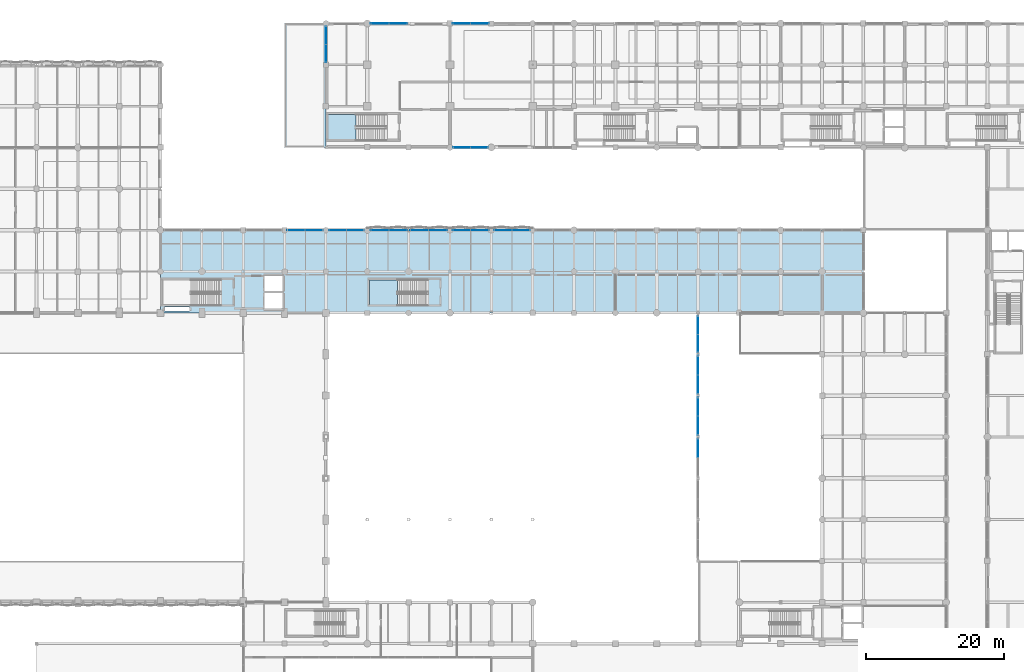
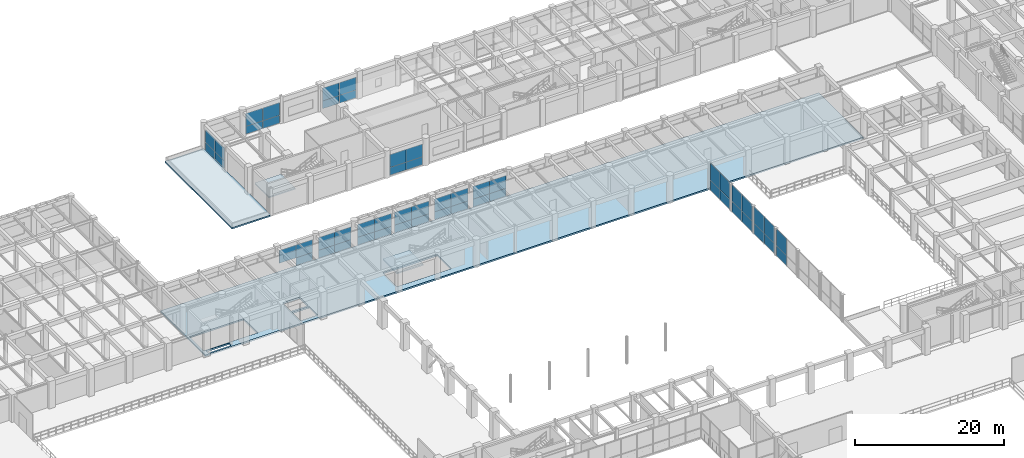
# One storey, part 90 of 133: 53 plates, 4 slabs, 16 elements without a shape of their own.
"""IFC4 building model written with IfcOpenShell, lengths in metres."""

from ifc_helpers import new_model, si_unit, direction, frame, frame_2d, origin, place, context, subcontext, project, spatial, polyline, rectangle, outline, extrude, material, layer, layer_set, type_object, element, aggregate, save


model = new_model("IFC4")

# Units and contexts
model_context = context("Model", 3, precision=1e-05, world=origin(), true_north=direction((0.0, 1.0)))
body_context = subcontext(model_context, "Body", "Model", "MODEL_VIEW")
ifc_project = project(units=[si_unit("LENGTHUNIT", "METRE"), si_unit("AREAUNIT", "SQUARE_METRE"), si_unit("VOLUMEUNIT", "CUBIC_METRE"), si_unit("PLANEANGLEUNIT", "RADIAN"), si_unit("MASSUNIT", "GRAM", prefix="KILO"), si_unit("THERMODYNAMICTEMPERATUREUNIT", "KELVIN"), si_unit("POWERUNIT", "WATT")], contexts=[model_context])

# Site, building, storey
site_placement = place(None, origin())
site = spatial("IfcSite", under=ifc_project, at=site_placement, CompositionType="ELEMENT")
building_placement = place(site_placement, origin())
building = spatial("IfcBuilding", under=site, at=building_placement, Name="Phaisarnlok Congress Hotel", CompositionType="ELEMENT")
storey_placement = place(building_placement, frame((0.0, 0.0, 6.0)))
storey = spatial("IfcBuildingStorey", under=building, at=storey_placement, Name="L01", CompositionType="ELEMENT", Elevation=6.0)

# Curtain wall, plates
ifc_material_1 = material(Name="Thermally Broken Unitised Aluminium & Low-E Glazing", Category="aluminium")
curtain_wall_type_1 = type_object("IfcCurtainWallType", Name="CW-UNIT-15", PredefinedType="NOTDEFINED", material=ifc_material_1)
curtain_wall_1_placement = place(storey_placement, origin())
curtain_wall_1 = element("IfcCurtainWall", 1, at=curtain_wall_1_placement, inside=storey, type_object=curtain_wall_type_1, Name="Unitised curtain wall CW-15 (L01)", PredefinedType="NOTDEFINED")
ifc_material_2 = material(Name="Triple Acoustic Solar-Control Glazing", Category="glass")
ifc_layer_1 = layer(ifc_material_2, 0.035888671875, Name="Triple Acoustic Solar-Control Glazing")
ifc_layer_set_1 = layer_set([ifc_layer_1], Name="Triple Acoustic Solar-Control Glazing")
plate_type = type_object("IfcPlateType", Name="CWP-GLZ-36", PredefinedType="CURTAIN_PANEL", material=ifc_layer_set_1)
plate_1_placement = place(storey_placement, frame((95.550048828125, 96.0, 0.0400390625), z_axis=(0.0, 0.0, 1.0), x_axis=(-1.0, 0.0, 0.0)))
plate_1 = element("IfcPlate", 2, at=plate_1_placement, type_object=plate_type, Name="Glazed curtain panel CWP-02", PredefinedType="CURTAIN_PANEL", context=body_context, shape_type="SweptSolid", body=[
    extrude(rectangle(XDim=2.56005859375, YDim=0.028076171875, at=frame_2d((1.280029296875, 0.0))), origin(), (0.0, 0.0, 1.0), 1.278564453125),
])
plate_2_placement = place(storey_placement, frame((95.550048828125, 96.0, 1.318603515625), z_axis=(0.0, 0.0, 1.0), x_axis=(-1.0, 0.0, 0.0)))
plate_2 = element("IfcPlate", 3, at=plate_2_placement, type_object=plate_type, Name="Glazed curtain panel CWP-02", PredefinedType="CURTAIN_PANEL", context=body_context, shape_type="SweptSolid", body=[
    extrude(rectangle(XDim=2.56005859375, YDim=0.028076171875, at=frame_2d((1.280029296875, 0.0))), origin(), (0.0, 0.0, 1.0), 2.111328125),
])
plate_3_placement = place(storey_placement, frame((92.9599609375, 96.0, 0.0400390625), z_axis=(0.0, 0.0, 1.0), x_axis=(-1.0, 0.0, 0.0)))
plate_3 = element("IfcPlate", 4, at=plate_3_placement, type_object=plate_type, Name="Glazed curtain panel CWP-02", PredefinedType="CURTAIN_PANEL", context=body_context, shape_type="SweptSolid", body=[
    extrude(rectangle(XDim=2.56005859375, YDim=0.028076171875, at=frame_2d((1.280029296875, 0.0))), origin(), (0.0, 0.0, 1.0), 1.278564453125),
])
plate_4_placement = place(storey_placement, frame((92.9599609375, 96.0, 1.318603515625), z_axis=(0.0, 0.0, 1.0), x_axis=(-1.0, 0.0, 0.0)))
plate_4 = element("IfcPlate", 5, at=plate_4_placement, type_object=plate_type, Name="Glazed curtain panel CWP-02", PredefinedType="CURTAIN_PANEL", context=body_context, shape_type="SweptSolid", body=[
    extrude(rectangle(XDim=2.56005859375, YDim=0.028076171875, at=frame_2d((1.280029296875, 0.0))), origin(), (0.0, 0.0, 1.0), 2.111328125),
])
aggregate(curtain_wall_1, [plate_1, plate_2, plate_3, plate_4])

curtain_wall_2_placement = place(storey_placement, origin())
curtain_wall_2 = element("IfcCurtainWall", 6, at=curtain_wall_2_placement, inside=storey, type_object=curtain_wall_type_1, Name="Unitised curtain wall CW-15 (L01)", PredefinedType="NOTDEFINED")
plate_5_placement = place(storey_placement, frame((89.60009765625, 96.0, 0.0400390625), z_axis=(0.0, 0.0, 1.0), x_axis=(-1.0, 0.0, 0.0)))
plate_5 = element("IfcPlate", 7, at=plate_5_placement, type_object=plate_type, Name="Glazed curtain panel CWP-02", PredefinedType="CURTAIN_PANEL", context=body_context, shape_type="SweptSolid", body=[
    extrude(rectangle(XDim=2.572509765625, YDim=0.028076171875, at=frame_2d((1.2861328125, 0.0))), origin(), (0.0, 0.0, 1.0), 1.278564453125),
])
plate_6_placement = place(storey_placement, frame((89.60009765625, 96.0, 1.318603515625), z_axis=(0.0, 0.0, 1.0), x_axis=(-1.0, 0.0, 0.0)))
plate_6 = element("IfcPlate", 8, at=plate_6_placement, type_object=plate_type, Name="Glazed curtain panel CWP-02", PredefinedType="CURTAIN_PANEL", context=body_context, shape_type="SweptSolid", body=[
    extrude(rectangle(XDim=2.572509765625, YDim=0.028076171875, at=frame_2d((1.2861328125, 0.0))), origin(), (0.0, 0.0, 1.0), 2.111328125),
])
plate_7_placement = place(storey_placement, frame((86.99755859375, 96.0, 0.0400390625), z_axis=(0.0, 0.0, 1.0), x_axis=(-1.0, 0.0, 0.0)))
plate_7 = element("IfcPlate", 9, at=plate_7_placement, type_object=plate_type, Name="Glazed curtain panel CWP-02", PredefinedType="CURTAIN_PANEL", context=body_context, shape_type="SweptSolid", body=[
    extrude(rectangle(XDim=2.572509765625, YDim=0.028076171875, at=frame_2d((1.2861328125, 0.0))), origin(), (0.0, 0.0, 1.0), 1.278564453125),
])
plate_8_placement = place(storey_placement, frame((86.99755859375, 96.0, 1.318603515625), z_axis=(0.0, 0.0, 1.0), x_axis=(-1.0, 0.0, 0.0)))
plate_8 = element("IfcPlate", 10, at=plate_8_placement, type_object=plate_type, Name="Glazed curtain panel CWP-02", PredefinedType="CURTAIN_PANEL", context=body_context, shape_type="SweptSolid", body=[
    extrude(rectangle(XDim=2.572509765625, YDim=0.028076171875, at=frame_2d((1.2861328125, 0.0))), origin(), (0.0, 0.0, 1.0), 2.111328125),
])
aggregate(curtain_wall_2, [plate_5, plate_6, plate_7, plate_8])

curtain_wall_type_2 = type_object("IfcCurtainWallType", Name="CW-UNIT-14", PredefinedType="NOTDEFINED", material=ifc_material_1)
curtain_wall_3_placement = place(storey_placement, origin())
curtain_wall_3 = element("IfcCurtainWall", 11, at=curtain_wall_3_placement, inside=storey, type_object=curtain_wall_type_2, Name="Unitised curtain wall CW-14 (L01)", PredefinedType="NOTDEFINED")
plate_9_placement = place(storey_placement, frame((83.574951171875, 96.0, 0.0400390625), z_axis=(0.0, 0.0, 1.0), x_axis=(-1.0, 0.0, 0.0)))
plate_9 = element("IfcPlate", 12, at=plate_9_placement, type_object=plate_type, Name="Glazed curtain panel CWP-02", PredefinedType="CURTAIN_PANEL", context=body_context, shape_type="SweptSolid", body=[
    extrude(rectangle(XDim=2.65966796875, YDim=0.028076171875, at=frame_2d((1.329833984375, 0.0))), origin(), (0.0, 0.0, 1.0), 1.278564453125),
])
plate_10_placement = place(storey_placement, frame((83.574951171875, 96.0, 1.318603515625), z_axis=(0.0, 0.0, 1.0), x_axis=(-1.0, 0.0, 0.0)))
plate_10 = element("IfcPlate", 13, at=plate_10_placement, type_object=plate_type, Name="Glazed curtain panel CWP-02", PredefinedType="CURTAIN_PANEL", context=body_context, shape_type="SweptSolid", body=[
    extrude(rectangle(XDim=2.65966796875, YDim=0.028076171875, at=frame_2d((1.329833984375, 0.0))), origin(), (0.0, 0.0, 1.0), 2.111328125),
])
plate_11_placement = place(storey_placement, frame((80.88525390625, 96.0, 0.0400390625), z_axis=(0.0, 0.0, 1.0), x_axis=(-1.0, 0.0, 0.0)))
plate_11 = element("IfcPlate", 14, at=plate_11_placement, type_object=plate_type, Name="Glazed curtain panel CWP-02", PredefinedType="CURTAIN_PANEL", context=body_context, shape_type="SweptSolid", body=[
    extrude(rectangle(XDim=2.65966796875, YDim=0.028076171875, at=frame_2d((1.329833984375, 0.0))), origin(), (0.0, 0.0, 1.0), 1.278564453125),
])
plate_12_placement = place(storey_placement, frame((80.88525390625, 96.0, 1.318603515625), z_axis=(0.0, 0.0, 1.0), x_axis=(-1.0, 0.0, 0.0)))
plate_12 = element("IfcPlate", 15, at=plate_12_placement, type_object=plate_type, Name="Glazed curtain panel CWP-02", PredefinedType="CURTAIN_PANEL", context=body_context, shape_type="SweptSolid", body=[
    extrude(rectangle(XDim=2.65966796875, YDim=0.028076171875, at=frame_2d((1.329833984375, 0.0))), origin(), (0.0, 0.0, 1.0), 2.111328125),
])
aggregate(curtain_wall_3, [plate_9, plate_10, plate_11, plate_12])

curtain_wall_type_3 = type_object("IfcCurtainWallType", Name="CW-UNIT-13", PredefinedType="NOTDEFINED", material=ifc_material_1)
curtain_wall_4_placement = place(storey_placement, origin())
curtain_wall_4 = element("IfcCurtainWall", 16, at=curtain_wall_4_placement, inside=storey, type_object=curtain_wall_type_3, Name="Unitised curtain wall CW-13 (L01)", PredefinedType="NOTDEFINED")
plate_13_placement = place(storey_placement, frame((77.7744140625, 96.0, 0.0400390625), z_axis=(0.0, 0.0, 1.0), x_axis=(-1.0, 0.0, 0.0)))
plate_13 = element("IfcPlate", 17, at=plate_13_placement, type_object=plate_type, Name="Glazed curtain panel CWP-02", PredefinedType="CURTAIN_PANEL", context=body_context, shape_type="SweptSolid", body=[
    extrude(rectangle(XDim=2.609619140625, YDim=0.028076171875, at=frame_2d((1.3046875, 0.0))), origin(), (0.0, 0.0, 1.0), 1.278564453125),
])
plate_14_placement = place(storey_placement, frame((77.7744140625, 96.0, 1.318603515625), z_axis=(0.0, 0.0, 1.0), x_axis=(-1.0, 0.0, 0.0)))
plate_14 = element("IfcPlate", 18, at=plate_14_placement, type_object=plate_type, Name="Glazed curtain panel CWP-02", PredefinedType="CURTAIN_PANEL", context=body_context, shape_type="SweptSolid", body=[
    extrude(rectangle(XDim=2.609619140625, YDim=0.028076171875, at=frame_2d((1.3046875, 0.0))), origin(), (0.0, 0.0, 1.0), 2.111328125),
])
plate_15_placement = place(storey_placement, frame((75.134765625, 96.0, 0.0400390625), z_axis=(0.0, 0.0, 1.0), x_axis=(-1.0, 0.0, 0.0)))
plate_15 = element("IfcPlate", 19, at=plate_15_placement, type_object=plate_type, Name="Glazed curtain panel CWP-02", PredefinedType="CURTAIN_PANEL", context=body_context, shape_type="SweptSolid", body=[
    extrude(rectangle(XDim=2.60986328125, YDim=0.028076171875, at=frame_2d((1.304931640625, 0.0))), origin(), (0.0, 0.0, 1.0), 1.278564453125),
])
plate_16_placement = place(storey_placement, frame((75.134765625, 96.0, 1.318603515625), z_axis=(0.0, 0.0, 1.0), x_axis=(-1.0, 0.0, 0.0)))
plate_16 = element("IfcPlate", 20, at=plate_16_placement, type_object=plate_type, Name="Glazed curtain panel CWP-02", PredefinedType="CURTAIN_PANEL", context=body_context, shape_type="SweptSolid", body=[
    extrude(rectangle(XDim=2.60986328125, YDim=0.028076171875, at=frame_2d((1.304931640625, 0.0))), origin(), (0.0, 0.0, 1.0), 2.111328125),
])
aggregate(curtain_wall_4, [plate_13, plate_14, plate_15, plate_16])

curtain_wall_type_4 = type_object("IfcCurtainWallType", Name="CW-UNIT-12", PredefinedType="NOTDEFINED", material=ifc_material_1)
curtain_wall_5_placement = place(storey_placement, origin())
curtain_wall_5 = element("IfcCurtainWall", 21, at=curtain_wall_5_placement, inside=storey, type_object=curtain_wall_type_4, Name="Unitised curtain wall CW-12 (L01)", PredefinedType="NOTDEFINED")
plate_17_placement = place(storey_placement, frame((71.47509765625, 96.0, 0.0400390625), z_axis=(0.0, 0.0, 1.0), x_axis=(-1.0, 0.0, 0.0)))
plate_17 = element("IfcPlate", 22, at=plate_17_placement, type_object=plate_type, Name="Glazed curtain panel CWP-02", PredefinedType="CURTAIN_PANEL", context=body_context, shape_type="SweptSolid", body=[
    extrude(rectangle(XDim=2.49755859375, YDim=0.028076171875, at=frame_2d((1.248779296875, 0.0))), origin(), (0.0, 0.0, 1.0), 1.278564453125),
])
plate_18_placement = place(storey_placement, frame((71.47509765625, 96.0, 1.318603515625), z_axis=(0.0, 0.0, 1.0), x_axis=(-1.0, 0.0, 0.0)))
plate_18 = element("IfcPlate", 23, at=plate_18_placement, type_object=plate_type, Name="Glazed curtain panel CWP-02", PredefinedType="CURTAIN_PANEL", context=body_context, shape_type="SweptSolid", body=[
    extrude(rectangle(XDim=2.49755859375, YDim=0.028076171875, at=frame_2d((1.248779296875, 0.0))), origin(), (0.0, 0.0, 1.0), 2.111328125),
])
plate_19_placement = place(storey_placement, frame((68.947509765625, 96.0, 0.0400390625), z_axis=(0.0, 0.0, 1.0), x_axis=(-1.0, 0.0, 0.0)))
plate_19 = element("IfcPlate", 24, at=plate_19_placement, type_object=plate_type, Name="Glazed curtain panel CWP-02", PredefinedType="CURTAIN_PANEL", context=body_context, shape_type="SweptSolid", body=[
    extrude(rectangle(XDim=2.49755859375, YDim=0.028076171875, at=frame_2d((1.248779296875, 0.0))), origin(), (0.0, 0.0, 1.0), 1.278564453125),
])
plate_20_placement = place(storey_placement, frame((68.947509765625, 96.0, 1.318603515625), z_axis=(0.0, 0.0, 1.0), x_axis=(-1.0, 0.0, 0.0)))
plate_20 = element("IfcPlate", 25, at=plate_20_placement, type_object=plate_type, Name="Glazed curtain panel CWP-02", PredefinedType="CURTAIN_PANEL", context=body_context, shape_type="SweptSolid", body=[
    extrude(rectangle(XDim=2.49755859375, YDim=0.028076171875, at=frame_2d((1.248779296875, 0.0))), origin(), (0.0, 0.0, 1.0), 2.111328125),
])
aggregate(curtain_wall_5, [plate_17, plate_18, plate_19, plate_20])

curtain_wall_6_placement = place(storey_placement, origin())
curtain_wall_6 = element("IfcCurtainWall", 26, at=curtain_wall_6_placement, inside=storey, type_object=curtain_wall_type_1, Name="Unitised curtain wall CW-15 (L01)", PredefinedType="NOTDEFINED")
plate_21_placement = place(storey_placement, frame((65.550048828125, 96.0, 0.0400390625), z_axis=(0.0, 0.0, 1.0), x_axis=(-1.0, 0.0, 0.0)))
plate_21 = element("IfcPlate", 27, at=plate_21_placement, type_object=plate_type, Name="Glazed curtain panel CWP-02", PredefinedType="CURTAIN_PANEL", context=body_context, shape_type="SweptSolid", body=[
    extrude(rectangle(XDim=2.56005859375, YDim=0.028076171875, at=frame_2d((1.280029296875, 0.0))), origin(), (0.0, 0.0, 1.0), 1.278564453125),
])
plate_22_placement = place(storey_placement, frame((65.550048828125, 96.0, 1.318603515625), z_axis=(0.0, 0.0, 1.0), x_axis=(-1.0, 0.0, 0.0)))
plate_22 = element("IfcPlate", 28, at=plate_22_placement, type_object=plate_type, Name="Glazed curtain panel CWP-02", PredefinedType="CURTAIN_PANEL", context=body_context, shape_type="SweptSolid", body=[
    extrude(rectangle(XDim=2.56005859375, YDim=0.028076171875, at=frame_2d((1.280029296875, 0.0))), origin(), (0.0, 0.0, 1.0), 2.111328125),
])
plate_23_placement = place(storey_placement, frame((62.9599609375, 96.0, 1.318603515625), z_axis=(0.0, 0.0, 1.0), x_axis=(-1.0, 0.0, 0.0)))
plate_23 = element("IfcPlate", 29, at=plate_23_placement, type_object=plate_type, Name="Glazed curtain panel CWP-02", PredefinedType="CURTAIN_PANEL", context=body_context, shape_type="SweptSolid", body=[
    extrude(rectangle(XDim=2.56005859375, YDim=0.028076171875, at=frame_2d((1.280029296875, 0.0))), origin(), (0.0, 0.0, 1.0), 2.111328125),
])
aggregate(curtain_wall_6, [plate_21, plate_22, plate_23])

curtain_wall_7_placement = place(storey_placement, origin())
curtain_wall_7 = element("IfcCurtainWall", 30, at=curtain_wall_7_placement, inside=storey, type_object=curtain_wall_type_4, Name="Unitised curtain wall CW-12 (L01)", PredefinedType="NOTDEFINED")
plate_24_placement = place(storey_placement, frame((84.449951171875, 108.0, 0.0400390625), z_axis=(0.0, 0.0, 1.0), x_axis=(1.0, 0.0, 0.0)))
plate_24 = element("IfcPlate", 31, at=plate_24_placement, type_object=plate_type, Name="Glazed curtain panel CWP-02", PredefinedType="CURTAIN_PANEL", context=body_context, shape_type="SweptSolid", body=[
    extrude(rectangle(XDim=2.49755859375, YDim=0.028076171875, at=frame_2d((1.248779296875, 0.0))), origin(), (0.0, 0.0, 1.0), 1.278564453125),
])
plate_25_placement = place(storey_placement, frame((84.449951171875, 108.0, 1.318603515625), z_axis=(0.0, 0.0, 1.0), x_axis=(1.0, 0.0, 0.0)))
plate_25 = element("IfcPlate", 32, at=plate_25_placement, type_object=plate_type, Name="Glazed curtain panel CWP-02", PredefinedType="CURTAIN_PANEL", context=body_context, shape_type="SweptSolid", body=[
    extrude(rectangle(XDim=2.49755859375, YDim=0.028076171875, at=frame_2d((1.248779296875, 0.0))), origin(), (0.0, 0.0, 1.0), 2.111328125),
])
plate_26_placement = place(storey_placement, frame((86.9775390625, 108.0, 0.0400390625), z_axis=(0.0, 0.0, 1.0), x_axis=(1.0, 0.0, 0.0)))
plate_26 = element("IfcPlate", 33, at=plate_26_placement, type_object=plate_type, Name="Glazed curtain panel CWP-02", PredefinedType="CURTAIN_PANEL", context=body_context, shape_type="SweptSolid", body=[
    extrude(rectangle(XDim=2.49755859375, YDim=0.028076171875, at=frame_2d((1.248779296875, 0.0))), origin(), (0.0, 0.0, 1.0), 1.278564453125),
])
plate_27_placement = place(storey_placement, frame((86.9775390625, 108.0, 1.318603515625), z_axis=(0.0, 0.0, 1.0), x_axis=(1.0, 0.0, 0.0)))
plate_27 = element("IfcPlate", 34, at=plate_27_placement, type_object=plate_type, Name="Glazed curtain panel CWP-02", PredefinedType="CURTAIN_PANEL", context=body_context, shape_type="SweptSolid", body=[
    extrude(rectangle(XDim=2.49755859375, YDim=0.028076171875, at=frame_2d((1.248779296875, 0.0))), origin(), (0.0, 0.0, 1.0), 2.111328125),
])
aggregate(curtain_wall_7, [plate_24, plate_25, plate_26, plate_27])

curtain_wall_8_placement = place(storey_placement, origin())
curtain_wall_8 = element("IfcCurtainWall", 35, at=curtain_wall_8_placement, inside=storey, type_object=curtain_wall_type_1, Name="Unitised curtain wall CW-15 (L01)", PredefinedType="NOTDEFINED")
plate_28_placement = place(storey_placement, frame((89.60009765625, 126.0, 0.0400390625), z_axis=(0.0, 0.0, 1.0), x_axis=(-1.0, 0.0, 0.0)))
plate_28 = element("IfcPlate", 36, at=plate_28_placement, type_object=plate_type, Name="Glazed curtain panel CWP-02", PredefinedType="CURTAIN_PANEL", context=body_context, shape_type="SweptSolid", body=[
    extrude(rectangle(XDim=2.572509765625, YDim=0.028076171875, at=frame_2d((1.2861328125, 0.0))), origin(), (0.0, 0.0, 1.0), 1.278564453125),
])
plate_29_placement = place(storey_placement, frame((89.60009765625, 126.0, 1.318603515625), z_axis=(0.0, 0.0, 1.0), x_axis=(-1.0, 0.0, 0.0)))
plate_29 = element("IfcPlate", 37, at=plate_29_placement, type_object=plate_type, Name="Glazed curtain panel CWP-02", PredefinedType="CURTAIN_PANEL", context=body_context, shape_type="SweptSolid", body=[
    extrude(rectangle(XDim=2.572509765625, YDim=0.028076171875, at=frame_2d((1.2861328125, 0.0))), origin(), (0.0, 0.0, 1.0), 2.111328125),
])
plate_30_placement = place(storey_placement, frame((86.99755859375, 126.0, 0.0400390625), z_axis=(0.0, 0.0, 1.0), x_axis=(-1.0, 0.0, 0.0)))
plate_30 = element("IfcPlate", 38, at=plate_30_placement, type_object=plate_type, Name="Glazed curtain panel CWP-02", PredefinedType="CURTAIN_PANEL", context=body_context, shape_type="SweptSolid", body=[
    extrude(rectangle(XDim=2.572509765625, YDim=0.028076171875, at=frame_2d((1.2861328125, 0.0))), origin(), (0.0, 0.0, 1.0), 1.278564453125),
])
plate_31_placement = place(storey_placement, frame((86.99755859375, 126.0, 1.318603515625), z_axis=(0.0, 0.0, 1.0), x_axis=(-1.0, 0.0, 0.0)))
plate_31 = element("IfcPlate", 39, at=plate_31_placement, type_object=plate_type, Name="Glazed curtain panel CWP-02", PredefinedType="CURTAIN_PANEL", context=body_context, shape_type="SweptSolid", body=[
    extrude(rectangle(XDim=2.572509765625, YDim=0.028076171875, at=frame_2d((1.2861328125, 0.0))), origin(), (0.0, 0.0, 1.0), 2.111328125),
])
aggregate(curtain_wall_8, [plate_28, plate_29, plate_30, plate_31])

curtain_wall_9_placement = place(storey_placement, origin())
curtain_wall_9 = element("IfcCurtainWall", 40, at=curtain_wall_9_placement, inside=storey, type_object=curtain_wall_type_3, Name="Unitised curtain wall CW-13 (L01)", PredefinedType="NOTDEFINED")
plate_32_placement = place(storey_placement, frame((77.7744140625, 126.0, 0.0400390625), z_axis=(0.0, 0.0, 1.0), x_axis=(-1.0, 0.0, 0.0)))
plate_32 = element("IfcPlate", 41, at=plate_32_placement, type_object=plate_type, Name="Glazed curtain panel CWP-02", PredefinedType="CURTAIN_PANEL", context=body_context, shape_type="SweptSolid", body=[
    extrude(rectangle(XDim=2.609619140625, YDim=0.028076171875, at=frame_2d((1.3046875, 0.0))), origin(), (0.0, 0.0, 1.0), 1.278564453125),
])
plate_33_placement = place(storey_placement, frame((77.7744140625, 126.0, 1.318603515625), z_axis=(0.0, 0.0, 1.0), x_axis=(-1.0, 0.0, 0.0)))
plate_33 = element("IfcPlate", 42, at=plate_33_placement, type_object=plate_type, Name="Glazed curtain panel CWP-02", PredefinedType="CURTAIN_PANEL", context=body_context, shape_type="SweptSolid", body=[
    extrude(rectangle(XDim=2.609619140625, YDim=0.028076171875, at=frame_2d((1.3046875, 0.0))), origin(), (0.0, 0.0, 1.0), 2.111328125),
])
plate_34_placement = place(storey_placement, frame((75.134765625, 126.0, 0.0400390625), z_axis=(0.0, 0.0, 1.0), x_axis=(-1.0, 0.0, 0.0)))
plate_34 = element("IfcPlate", 43, at=plate_34_placement, type_object=plate_type, Name="Glazed curtain panel CWP-02", PredefinedType="CURTAIN_PANEL", context=body_context, shape_type="SweptSolid", body=[
    extrude(rectangle(XDim=2.60986328125, YDim=0.028076171875, at=frame_2d((1.304931640625, 0.0))), origin(), (0.0, 0.0, 1.0), 1.278564453125),
])
plate_35_placement = place(storey_placement, frame((75.134765625, 126.0, 1.318603515625), z_axis=(0.0, 0.0, 1.0), x_axis=(-1.0, 0.0, 0.0)))
plate_35 = element("IfcPlate", 44, at=plate_35_placement, type_object=plate_type, Name="Glazed curtain panel CWP-02", PredefinedType="CURTAIN_PANEL", context=body_context, shape_type="SweptSolid", body=[
    extrude(rectangle(XDim=2.60986328125, YDim=0.028076171875, at=frame_2d((1.304931640625, 0.0))), origin(), (0.0, 0.0, 1.0), 2.111328125),
])
aggregate(curtain_wall_9, [plate_32, plate_33, plate_34, plate_35])

curtain_wall_10_placement = place(storey_placement, origin())
curtain_wall_10 = element("IfcCurtainWall", 45, at=curtain_wall_10_placement, inside=storey, type_object=curtain_wall_type_1, Name="Unitised curtain wall CW-15 (L01)", PredefinedType="NOTDEFINED")
plate_36_placement = place(storey_placement, frame((66.0, 125.550048828125, 0.0400390625), z_axis=(0.0, 0.0, 1.0), x_axis=(0.0, -1.0, 0.0)))
plate_36 = element("IfcPlate", 46, at=plate_36_placement, type_object=plate_type, Name="Glazed curtain panel CWP-02", PredefinedType="CURTAIN_PANEL", context=body_context, shape_type="SweptSolid", body=[
    extrude(rectangle(XDim=2.56005859375, YDim=0.028076171875, at=frame_2d((1.280029296875, 0.0))), origin(), (0.0, 0.0, 1.0), 1.278564453125),
])
plate_37_placement = place(storey_placement, frame((66.0, 125.550048828125, 1.318603515625), z_axis=(0.0, 0.0, 1.0), x_axis=(0.0, -1.0, 0.0)))
plate_37 = element("IfcPlate", 47, at=plate_37_placement, type_object=plate_type, Name="Glazed curtain panel CWP-02", PredefinedType="CURTAIN_PANEL", context=body_context, shape_type="SweptSolid", body=[
    extrude(rectangle(XDim=2.56005859375, YDim=0.028076171875, at=frame_2d((1.280029296875, 0.0))), origin(), (0.0, 0.0, 1.0), 2.111328125),
])
plate_38_placement = place(storey_placement, frame((66.0, 122.9599609375, 0.0400390625), z_axis=(0.0, 0.0, 1.0), x_axis=(0.0, -1.0, 0.0)))
plate_38 = element("IfcPlate", 48, at=plate_38_placement, type_object=plate_type, Name="Glazed curtain panel CWP-02", PredefinedType="CURTAIN_PANEL", context=body_context, shape_type="SweptSolid", body=[
    extrude(rectangle(XDim=2.56005859375, YDim=0.028076171875, at=frame_2d((1.280029296875, 0.0))), origin(), (0.0, 0.0, 1.0), 1.278564453125),
])
plate_39_placement = place(storey_placement, frame((66.0, 122.9599609375, 1.318603515625), z_axis=(0.0, 0.0, 1.0), x_axis=(0.0, -1.0, 0.0)))
plate_39 = element("IfcPlate", 49, at=plate_39_placement, type_object=plate_type, Name="Glazed curtain panel CWP-02", PredefinedType="CURTAIN_PANEL", context=body_context, shape_type="SweptSolid", body=[
    extrude(rectangle(XDim=2.56005859375, YDim=0.028076171875, at=frame_2d((1.280029296875, 0.0))), origin(), (0.0, 0.0, 1.0), 2.111328125),
])
aggregate(curtain_wall_10, [plate_36, plate_37, plate_38, plate_39])

curtain_wall_type_5 = type_object("IfcCurtainWallType", Name="CW-UNIT-43", PredefinedType="NOTDEFINED", material=ifc_material_1)
curtain_wall_11_placement = place(storey_placement, origin())
curtain_wall_11 = element("IfcCurtainWall", 50, at=curtain_wall_11_placement, inside=storey, type_object=curtain_wall_type_5, Name="Unitised curtain wall CW-43 (L01)", PredefinedType="NOTDEFINED")
plate_40_placement = place(storey_placement, frame((120.0, 65.739990234375, 0.02001953125), z_axis=(0.0, 0.0, 1.0), x_axis=(0.0, -1.0, 0.0)))
plate_40 = element("IfcPlate", 51, at=plate_40_placement, type_object=plate_type, Name="Glazed curtain panel CWP-02", PredefinedType="CURTAIN_PANEL", context=body_context, shape_type="SweptSolid", body=[
    extrude(rectangle(XDim=2.72509765625, YDim=0.028076171875, at=frame_2d((1.362548828125, 0.0))), origin(), (0.0, 0.0, 1.0), 1.681396484375),
])
plate_41_placement = place(storey_placement, frame((120.0, 65.739990234375, 1.701416015625), z_axis=(0.0, 0.0, 1.0), x_axis=(0.0, -1.0, 0.0)))
plate_41 = element("IfcPlate", 52, at=plate_41_placement, type_object=plate_type, Name="Glazed curtain panel CWP-02", PredefinedType="CURTAIN_PANEL", context=body_context, shape_type="SweptSolid", body=[
    extrude(rectangle(XDim=2.72509765625, YDim=0.028076171875, at=frame_2d((1.362548828125, 0.0))), origin(), (0.0, 0.0, 1.0), 2.7685546875),
])
aggregate(curtain_wall_11, [plate_40, plate_41])

curtain_wall_12_placement = place(storey_placement, origin())
curtain_wall_12 = element("IfcCurtainWall", 53, at=curtain_wall_12_placement, inside=storey, type_object=curtain_wall_type_5, Name="Unitised curtain wall CW-43 (L01)", PredefinedType="NOTDEFINED")
plate_42_placement = place(storey_placement, frame((120.0, 71.739990234375, 0.02001953125), z_axis=(0.0, 0.0, 1.0), x_axis=(0.0, -1.0, 0.0)))
plate_42 = element("IfcPlate", 54, at=plate_42_placement, type_object=plate_type, Name="Glazed curtain panel CWP-02", PredefinedType="CURTAIN_PANEL", context=body_context, shape_type="SweptSolid", body=[
    extrude(rectangle(XDim=2.72509765625, YDim=0.028076171875, at=frame_2d((1.362548828125, 0.0))), origin(), (0.0, 0.0, 1.0), 1.681396484375),
])
plate_43_placement = place(storey_placement, frame((120.0, 71.739990234375, 1.701416015625), z_axis=(0.0, 0.0, 1.0), x_axis=(0.0, -1.0, 0.0)))
plate_43 = element("IfcPlate", 55, at=plate_43_placement, type_object=plate_type, Name="Glazed curtain panel CWP-02", PredefinedType="CURTAIN_PANEL", context=body_context, shape_type="SweptSolid", body=[
    extrude(rectangle(XDim=2.72509765625, YDim=0.028076171875, at=frame_2d((1.362548828125, 0.0))), origin(), (0.0, 0.0, 1.0), 2.7685546875),
])
plate_44_placement = place(storey_placement, frame((120.0, 68.985107421875, 0.02001953125), z_axis=(0.0, 0.0, 1.0), x_axis=(0.0, -1.0, 0.0)))
plate_44 = element("IfcPlate", 56, at=plate_44_placement, type_object=plate_type, Name="Glazed curtain panel CWP-02", PredefinedType="CURTAIN_PANEL", context=body_context, shape_type="SweptSolid", body=[
    extrude(rectangle(XDim=2.72509765625, YDim=0.028076171875, at=frame_2d((1.362548828125, 0.0))), origin(), (0.0, 0.0, 1.0), 1.681396484375),
])
plate_45_placement = place(storey_placement, frame((120.0, 68.985107421875, 1.701416015625), z_axis=(0.0, 0.0, 1.0), x_axis=(0.0, -1.0, 0.0)))
plate_45 = element("IfcPlate", 57, at=plate_45_placement, type_object=plate_type, Name="Glazed curtain panel CWP-02", PredefinedType="CURTAIN_PANEL", context=body_context, shape_type="SweptSolid", body=[
    extrude(rectangle(XDim=2.72509765625, YDim=0.028076171875, at=frame_2d((1.362548828125, 0.0))), origin(), (0.0, 0.0, 1.0), 2.7685546875),
])
aggregate(curtain_wall_12, [plate_42, plate_43, plate_44, plate_45])

curtain_wall_13_placement = place(storey_placement, origin())
curtain_wall_13 = element("IfcCurtainWall", 58, at=curtain_wall_13_placement, inside=storey, type_object=curtain_wall_type_5, Name="Unitised curtain wall CW-43 (L01)", PredefinedType="NOTDEFINED")
plate_46_placement = place(storey_placement, frame((120.0, 77.739990234375, 0.02001953125), z_axis=(0.0, 0.0, 1.0), x_axis=(0.0, -1.0, 0.0)))
plate_46 = element("IfcPlate", 59, at=plate_46_placement, type_object=plate_type, Name="Glazed curtain panel CWP-02", PredefinedType="CURTAIN_PANEL", context=body_context, shape_type="SweptSolid", body=[
    extrude(rectangle(XDim=2.72509765625, YDim=0.028076171875, at=frame_2d((1.362548828125, 0.0))), origin(), (0.0, 0.0, 1.0), 1.681396484375),
])
plate_47_placement = place(storey_placement, frame((120.0, 77.739990234375, 1.701416015625), z_axis=(0.0, 0.0, 1.0), x_axis=(0.0, -1.0, 0.0)))
plate_47 = element("IfcPlate", 60, at=plate_47_placement, type_object=plate_type, Name="Glazed curtain panel CWP-02", PredefinedType="CURTAIN_PANEL", context=body_context, shape_type="SweptSolid", body=[
    extrude(rectangle(XDim=2.72509765625, YDim=0.028076171875, at=frame_2d((1.362548828125, 0.0))), origin(), (0.0, 0.0, 1.0), 2.7685546875),
])
plate_48_placement = place(storey_placement, frame((120.0, 74.985107421875, 0.02001953125), z_axis=(0.0, 0.0, 1.0), x_axis=(0.0, -1.0, 0.0)))
plate_48 = element("IfcPlate", 61, at=plate_48_placement, type_object=plate_type, Name="Glazed curtain panel CWP-02", PredefinedType="CURTAIN_PANEL", context=body_context, shape_type="SweptSolid", body=[
    extrude(rectangle(XDim=2.72509765625, YDim=0.028076171875, at=frame_2d((1.362548828125, 0.0))), origin(), (0.0, 0.0, 1.0), 1.681396484375),
])
plate_49_placement = place(storey_placement, frame((120.0, 74.985107421875, 1.701416015625), z_axis=(0.0, 0.0, 1.0), x_axis=(0.0, -1.0, 0.0)))
plate_49 = element("IfcPlate", 62, at=plate_49_placement, type_object=plate_type, Name="Glazed curtain panel CWP-02", PredefinedType="CURTAIN_PANEL", context=body_context, shape_type="SweptSolid", body=[
    extrude(rectangle(XDim=2.72509765625, YDim=0.028076171875, at=frame_2d((1.362548828125, 0.0))), origin(), (0.0, 0.0, 1.0), 2.7685546875),
])
aggregate(curtain_wall_13, [plate_46, plate_47, plate_48, plate_49])

curtain_wall_type_6 = type_object("IfcCurtainWallType", Name="CW-UNIT-40", PredefinedType="NOTDEFINED", material=ifc_material_1)
curtain_wall_14_placement = place(storey_placement, origin())
curtain_wall_14 = element("IfcCurtainWall", 63, at=curtain_wall_14_placement, inside=storey, type_object=curtain_wall_type_6, Name="Unitised curtain wall CW-40 (L01)", PredefinedType="NOTDEFINED")
plate_50_placement = place(storey_placement, frame((120.0, 83.52001953125, 0.02001953125), z_axis=(0.0, 0.0, 1.0), x_axis=(0.0, -1.0, 0.0)))
plate_50 = element("IfcPlate", 64, at=plate_50_placement, type_object=plate_type, Name="Glazed curtain panel CWP-02", PredefinedType="CURTAIN_PANEL", context=body_context, shape_type="SweptSolid", body=[
    extrude(rectangle(XDim=2.614990234375, YDim=0.028076171875, at=frame_2d((1.3076171875, 0.0))), origin(), (0.0, 0.0, 1.0), 1.681396484375),
])
plate_51_placement = place(storey_placement, frame((120.0, 83.52001953125, 1.701416015625), z_axis=(0.0, 0.0, 1.0), x_axis=(0.0, -1.0, 0.0)))
plate_51 = element("IfcPlate", 65, at=plate_51_placement, type_object=plate_type, Name="Glazed curtain panel CWP-02", PredefinedType="CURTAIN_PANEL", context=body_context, shape_type="SweptSolid", body=[
    extrude(rectangle(XDim=2.614990234375, YDim=0.028076171875, at=frame_2d((1.3076171875, 0.0))), origin(), (0.0, 0.0, 1.0), 2.7685546875),
])
plate_52_placement = place(storey_placement, frame((120.0, 80.875, 0.02001953125), z_axis=(0.0, 0.0, 1.0), x_axis=(0.0, -1.0, 0.0)))
plate_52 = element("IfcPlate", 66, at=plate_52_placement, type_object=plate_type, Name="Glazed curtain panel CWP-02", PredefinedType="CURTAIN_PANEL", context=body_context, shape_type="SweptSolid", body=[
    extrude(rectangle(XDim=2.614990234375, YDim=0.028076171875, at=frame_2d((1.3076171875, 0.0))), origin(), (0.0, 0.0, 1.0), 1.681396484375),
])
plate_53_placement = place(storey_placement, frame((120.0, 80.875, 1.701416015625), z_axis=(0.0, 0.0, 1.0), x_axis=(0.0, -1.0, 0.0)))
plate_53 = element("IfcPlate", 67, at=plate_53_placement, type_object=plate_type, Name="Glazed curtain panel CWP-02", PredefinedType="CURTAIN_PANEL", context=body_context, shape_type="SweptSolid", body=[
    extrude(rectangle(XDim=2.614990234375, YDim=0.028076171875, at=frame_2d((1.3076171875, 0.0))), origin(), (0.0, 0.0, 1.0), 2.7685546875),
])
aggregate(curtain_wall_14, [plate_50, plate_51, plate_52, plate_53])

# Slab
ifc_material_3 = material(Name="Concrete C40/50", Category="concrete")
ifc_layer_2 = layer(ifc_material_3, 0.260009765625, Name="Concrete C40/50")
ifc_layer_set_2 = layer_set([ifc_layer_2], Name="Concrete C40/50")
slab_type_1 = type_object("IfcSlabType", Name="SLB-INT-260", PredefinedType="FLOOR", material=ifc_layer_set_2)
slab_1_placement = place(storey_placement, frame((0.0, 0.0, -0.260009765625)))
element("IfcSlab", 68, at=slab_1_placement, inside=storey, type_object=slab_type_1, Name="Floor slab SL-INT-260 (L01 v4_n)", PredefinedType="FLOOR", context=body_context, shape_type="SweptSolid", body=[
    extrude(outline(polyline([(144.0, 84.0), (144.0, 96.0), (42.0, 96.0), (42.0, 84.0), (144.0, 84.0)]), holes=[polyline([(50.719970703125, 88.800048828125), (42.300048828125, 88.800048828125), (42.300048828125, 85.0), (50.719970703125, 85.0), (50.719970703125, 88.800048828125)]), polyline([(80.719970703125, 88.800048828125), (72.300048828125, 88.800048828125), (72.300048828125, 85.0), (80.719970703125, 85.0), (80.719970703125, 88.800048828125)]), polyline([(59.75, 84.60009765625), (59.75, 86.85009765625), (57.10009765625, 86.85009765625), (57.10009765625, 84.60009765625), (59.75, 84.60009765625)]), polyline([(59.75, 87.14990234375), (59.75, 89.39990234375), (57.10009765625, 89.39990234375), (57.10009765625, 87.14990234375), (59.75, 87.14990234375)]), polyline([(46.199951171875, 84.25), (46.199951171875, 84.85009765625), (42.60009765625, 84.85009765625), (42.60009765625, 84.25), (46.199951171875, 84.25)])]), origin(), (0.0, 0.0, 1.0), 0.260009765625),
])

# Stair, slab
stair_type = type_object("IfcStairType", Name="STR-DOG-03", PredefinedType="HALF_TURN_STAIR", material=ifc_material_3)
stair_1_placement = place(storey_placement, origin())
stair_1 = element("IfcStair", 69, at=stair_1_placement, inside=storey, type_object=stair_type, Name="L01 ST-10", PredefinedType="HALF_TURN_STAIR")
ifc_layer_3 = layer(ifc_material_3, 0.199951171875, Name="Concrete C40/50")
ifc_layer_set_3 = layer_set([ifc_layer_3], Name="Concrete C40/50")
slab_type_2 = type_object("IfcSlabType", Name="SLB-LND-200", PredefinedType="LANDING", material=ifc_layer_set_3)
slab_2_placement = place(storey_placement, frame((0.0, 0.0, 2.050048828125)))
slab_2 = element("IfcSlab", 70, at=slab_2_placement, type_object=slab_type_2, Name="ST-10 landing 1", PredefinedType="LANDING", context=body_context, shape_type="SweptSolid", body=[
    extrude(outline(polyline([(70.3798828125, 112.800048828125), (66.300048828125, 112.800048828125), (66.300048828125, 109.0), (70.3798828125, 109.0), (70.3798828125, 112.800048828125)])), origin(), (0.0, 0.0, 1.0), 0.199951171875),
])
aggregate(stair_1, [slab_2])

stair_2_placement = place(storey_placement, origin())
stair_2 = element("IfcStair", 71, at=stair_2_placement, inside=storey, type_object=stair_type, Name="L01 ST-11", PredefinedType="HALF_TURN_STAIR")
slab_3_placement = place(storey_placement, frame((0.0, 0.0, 2.050048828125)))
slab_3 = element("IfcSlab", 72, at=slab_3_placement, type_object=slab_type_2, Name="ST-11 landing 1", PredefinedType="LANDING", context=body_context, shape_type="SweptSolid", body=[
    extrude(outline(polyline([(76.3798828125, 88.800048828125), (72.300048828125, 88.800048828125), (72.300048828125, 85.0), (76.3798828125, 85.0), (76.3798828125, 88.800048828125)])), origin(), (0.0, 0.0, 1.0), 0.199951171875),
])
aggregate(stair_2, [slab_3])

# Slab
ifc_layer_4 = layer(ifc_material_3, 0.239990234375, Name="Concrete C40/50")
ifc_layer_set_4 = layer_set([ifc_layer_4], Name="Concrete C40/50")
slab_type_3 = type_object("IfcSlabType", Name="SLB-ROOF-240", PredefinedType="ROOF", material=ifc_layer_set_4)
slab_4_placement = place(storey_placement, frame((0.0, 0.0, -0.239990234375)))
element("IfcSlab", 73, at=slab_4_placement, inside=storey, type_object=slab_type_3, Name="Podium setback roof slab SL-ROOF-240 (L01 pod_rest_w)", PredefinedType="ROOF", context=body_context, shape_type="SweptSolid", body=[
    extrude(outline(polyline([(60.0, 108.0), (66.0, 108.0), (66.0, 126.0), (60.0, 126.0), (60.0, 108.0)])), origin(), (0.0, 0.0, 1.0), 0.239990234375),
])

save(model, "model.ifc")
